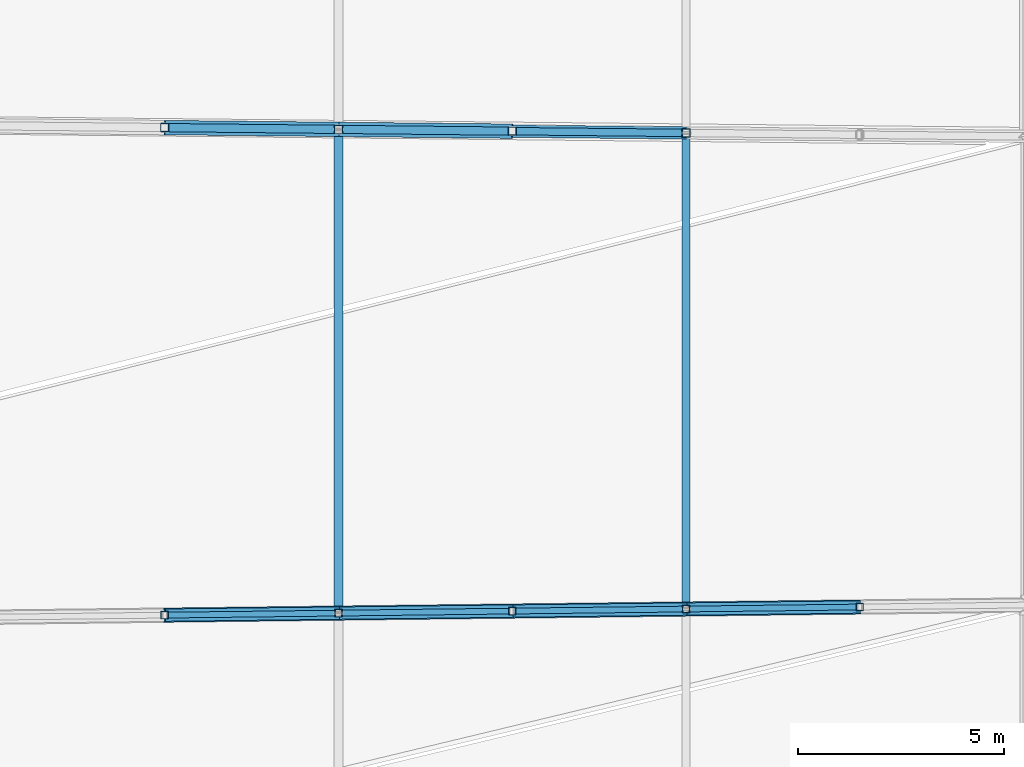
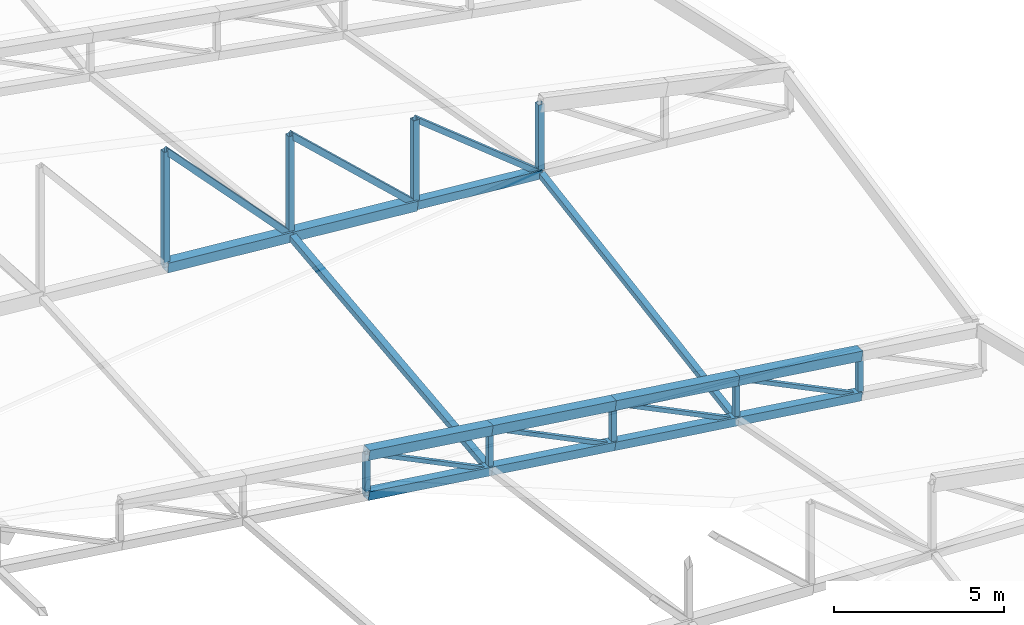
# One storey, part 63 of 344: 29 members.
"""IFC4 building model written with IfcOpenShell, lengths in metres."""

from ifc_helpers import new_model, si_unit, direction, frame, origin, origin_2d, place, context, subcontext, project, spatial, hollow_rectangle, extrude, material, material_profile, profile_set, type_object, element, save


model = new_model("IFC4")

# Units and contexts
model_context = context("Model", 3, precision=1e-05, world=origin(), true_north=direction((0.0, 1.0)))
body_context = subcontext(model_context, "Body", "Model", "MODEL_VIEW")
ifc_project = project(units=[si_unit("LENGTHUNIT", "METRE"), si_unit("AREAUNIT", "SQUARE_METRE"), si_unit("VOLUMEUNIT", "CUBIC_METRE"), si_unit("PLANEANGLEUNIT", "RADIAN"), si_unit("MASSUNIT", "GRAM", prefix="KILO")], contexts=[model_context])

# Site, building, storey
site_placement = place(None, origin())
site = spatial("IfcSite", under=ifc_project, at=site_placement, CompositionType="ELEMENT")
building_placement = place(site_placement, origin())
building = spatial("IfcBuilding", under=site, at=building_placement, Name="Meseta Stadium", CompositionType="ELEMENT")
storey_placement = place(building_placement, frame((0.0, 0.0, 24.0)))
storey = spatial("IfcBuildingStorey", under=building, at=storey_placement, Name="L04", CompositionType="ELEMENT", Elevation=24.0)

# Members
ifc_material_1 = material(Name="Steel S355", Category="steel")
ifc_material_profile_1 = material_profile(ifc_material_1, hollow_rectangle(XDim=0.139892578125, YDim=0.139892578125, WallThickness=0.0048828125, at=origin_2d()), Name="SHS 140x140x5")
ifc_profile_set_1 = profile_set([ifc_material_profile_1], Name="Steel S355")
member_type_1 = type_object("IfcMemberType", Name="SHS 140x140x5 diagonal", PredefinedType="BRACE", material=ifc_profile_set_1)
for number, where, z_axis, x_axis, name in (
    (1, (-51.2216796875, -5.740478515625, 1.897216796875), (-0.896122355516, -0.010519449382, 0.443682392178), (0.011738045144, -0.999931106775, 0.0), "ROOF TRUSS RT-33 diagonal"),
    (2, (-55.443603515625, -5.7900390625, 2.510009765625), (-0.896122355516, -0.010519449382, 0.443682392178), (0.011738045144, -0.999931106775, 0.0), "ROOF TRUSS RT-33 diagonal"),
    (3, (-59.66552734375, -5.839599609375, 3.122802734375), (-0.896122355516, -0.010519449382, 0.443682392178), (0.011738045144, -0.999931106775, 0.0), "ROOF TRUSS RT-33 diagonal"),
):
    element("IfcMember", number, at=place(storey_placement, frame(where, z_axis=z_axis, x_axis=x_axis)), inside=storey, type_object=member_type_1, Name=name, PredefinedType="BRACE", context=body_context, shape_type="SweptSolid", body=[
        extrude(hollow_rectangle(XDim=0.139892578125, YDim=0.139892578125, WallThickness=0.0048828125, at=origin_2d()), origin(), (0.0, 0.0, 1.0), 4.71142578125),
    ])
member_1_placement = place(storey_placement, frame((-63.887451171875, -5.88916015625, 3.73583984375), z_axis=(-0.896142958309, -0.010519691236, 0.443640771762), x_axis=(0.011738045144, -0.999931106775, 0.0)))
element("IfcMember", 4, at=member_1_placement, inside=storey, type_object=member_type_1, Name="ROOF TRUSS RT-33 diagonal", PredefinedType="BRACE", context=body_context, shape_type="SweptSolid", body=[
    extrude(hollow_rectangle(XDim=0.139892578125, YDim=0.139892578125, WallThickness=0.0048828125, at=origin_2d()), origin(), (0.0, 0.0, 1.0), 4.711181640625),
])
ifc_material_2 = material(Name="Steel S355", Category="steel")
ifc_material_profile_2 = material_profile(ifc_material_2, hollow_rectangle(XDim=0.179931640625, YDim=0.179931640625, WallThickness=0.00634765625, at=origin_2d()), Name="SHS 180x180x6.3")
ifc_profile_set_2 = profile_set([ifc_material_profile_2], Name="Steel S355")
member_type_2 = type_object("IfcMemberType", Name="SHS 180x180x6.3 diagonal", PredefinedType="BRACE", material=ifc_profile_set_2)
member_2_placement = place(storey_placement, frame((-55.443603515625, 5.777587890625, 4.377197265625), z_axis=(-0.780566096521, 0.00803450906, 0.625021612128), x_axis=(-0.010292636977, -0.999947029409, 0.0)))
element("IfcMember", 5, at=member_2_placement, inside=storey, type_object=member_type_2, Name="ROOF TRUSS RT-32 diagonal", PredefinedType="BRACE", context=body_context, shape_type="SweptSolid", body=[
    extrude(hollow_rectangle(XDim=0.179931640625, YDim=0.179931640625, WallThickness=0.00634765625, at=origin_2d()), origin(), (0.0, 0.0, 1.0), 5.40869140625),
])
ifc_material_3 = material(Name="Steel S355", Category="steel")
ifc_material_profile_3 = material_profile(ifc_material_3, hollow_rectangle(XDim=0.179931640625, YDim=0.179931640625, WallThickness=0.00634765625, at=origin_2d()), Name="SHS 180x180x6.3")
ifc_profile_set_3 = profile_set([ifc_material_profile_3], Name="Steel S355")
member_type_3 = type_object("IfcMemberType", Name="SHS 180x180x6.3 post", PredefinedType="POST", material=ifc_profile_set_3)
member_3_placement = place(storey_placement, frame((-51.2216796875, -5.740478515625, 1.897216796875), z_axis=(0.0, 0.0, 1.0), x_axis=(1.0, 0.0, 0.0)))
element("IfcMember", 6, at=member_3_placement, inside=storey, type_object=member_type_3, Name="ROOF TRUSS RT-33 post", PredefinedType="POST", context=body_context, shape_type="SweptSolid", body=[
    extrude(hollow_rectangle(XDim=0.179931640625, YDim=0.179931640625, WallThickness=0.00634765625, at=origin_2d()), origin(), (0.0, 0.0, 1.0), 1.477294921875),
])
for number, where, z_axis, x_axis, name in (
    (7, (-55.443603515625, -5.7900390625, 2.510009765625), (0.0, 0.0, 1.0), (1.0, 0.0, 0.0), "ROOF TRUSS RT-33 post"),
    (8, (-59.66552734375, -5.839599609375, 3.122802734375), (0.0, 0.0, 1.0), (1.0, 0.0, 0.0), "ROOF TRUSS RT-33 post"),
):
    element("IfcMember", number, at=place(storey_placement, frame(where, z_axis=z_axis, x_axis=x_axis)), inside=storey, type_object=member_type_3, Name=name, PredefinedType="POST", context=body_context, shape_type="SweptSolid", body=[
        extrude(hollow_rectangle(XDim=0.179931640625, YDim=0.179931640625, WallThickness=0.00634765625, at=origin_2d()), origin(), (0.0, 0.0, 1.0), 1.4775390625),
    ])
for number, where, z_axis, x_axis, name in (
    (9, (-63.887451171875, -5.88916015625, 3.73583984375), (0.0, 0.0, 1.0), (1.0, 0.0, 0.0), "ROOF TRUSS RT-33 post"),
    (10, (-68.109375, -5.938720703125, 4.3486328125), (0.0, 0.0, 1.0), (1.0, 0.0, 0.0), "ROOF TRUSS RT-33 post"),
):
    element("IfcMember", number, at=place(storey_placement, frame(where, z_axis=z_axis, x_axis=x_axis)), inside=storey, type_object=member_type_3, Name=name, PredefinedType="POST", context=body_context, shape_type="SweptSolid", body=[
        extrude(hollow_rectangle(XDim=0.179931640625, YDim=0.179931640625, WallThickness=0.00634765625, at=origin_2d()), origin(), (0.0, 0.0, 1.0), 1.477294921875),
    ])
ifc_material_4 = material(Name="Steel S355", Category="steel")
ifc_material_profile_4 = material_profile(ifc_material_4, hollow_rectangle(XDim=0.199951171875, YDim=0.199951171875, WallThickness=0.008056640625, at=origin_2d()), Name="SHS 200x200x8")
ifc_profile_set_4 = profile_set([ifc_material_profile_4], Name="Steel S355")
member_type_4 = type_object("IfcMemberType", Name="SHS 200x200x8 diagonal", PredefinedType="BRACE", material=ifc_profile_set_4)
member_4_placement = place(storey_placement, frame((-59.66552734375, 5.821044921875, 4.71337890625), z_axis=(-0.732048613377, 0.007534674059, 0.681210728292), x_axis=(-0.010292041883, -0.999947035534, 0.0)))
element("IfcMember", 11, at=member_4_placement, inside=storey, type_object=member_type_4, Name="ROOF TRUSS RT-32 diagonal", PredefinedType="BRACE", context=body_context, shape_type="SweptSolid", body=[
    extrude(hollow_rectangle(XDim=0.199951171875, YDim=0.199951171875, WallThickness=0.008056640625, at=origin_2d()), origin(), (0.0, 0.0, 1.0), 5.767578125),
])
member_5_placement = place(storey_placement, frame((-63.8876953125, 5.864501953125, 5.0498046875), z_axis=(-0.686056558819, 0.007022032667, 0.727514322305), x_axis=(-0.010234819248, -0.999947622866, 0.0)))
element("IfcMember", 12, at=member_5_placement, inside=storey, type_object=member_type_4, Name="ROOF TRUSS RT-32 diagonal", PredefinedType="BRACE", context=body_context, shape_type="SweptSolid", body=[
    extrude(hollow_rectangle(XDim=0.199951171875, YDim=0.199951171875, WallThickness=0.008056640625, at=origin_2d()), origin(), (0.0, 0.0, 1.0), 6.15380859375),
])
ifc_material_5 = material(Name="Steel S355", Category="steel")
ifc_material_profile_5 = material_profile(ifc_material_5, hollow_rectangle(XDim=0.199951171875, YDim=0.199951171875, WallThickness=0.008056640625, at=origin_2d()), Name="SHS 200x200x8")
ifc_profile_set_5 = profile_set([ifc_material_profile_5], Name="Steel S355")
member_type_5 = type_object("IfcMemberType", Name="SHS 200x200x8 post", PredefinedType="POST", material=ifc_profile_set_5)
member_6_placement = place(storey_placement, frame((-55.443603515625, 5.777587890625, 4.377197265625), z_axis=(0.0, 0.0, 1.0), x_axis=(1.0, 0.0, 0.0)))
element("IfcMember", 13, at=member_6_placement, inside=storey, type_object=member_type_5, Name="ROOF TRUSS RT-32 post", PredefinedType="POST", context=body_context, shape_type="SweptSolid", body=[
    extrude(hollow_rectangle(XDim=0.199951171875, YDim=0.199951171875, WallThickness=0.008056640625, at=origin_2d()), origin(), (0.0, 0.0, 1.0), 2.49609375),
])
member_7_placement = place(storey_placement, frame((-59.66552734375, 5.821044921875, 4.71337890625), z_axis=(0.0, 0.0, 1.0), x_axis=(1.0, 0.0, 0.0)))
element("IfcMember", 14, at=member_7_placement, inside=storey, type_object=member_type_5, Name="ROOF TRUSS RT-32 post", PredefinedType="POST", context=body_context, shape_type="SweptSolid", body=[
    extrude(hollow_rectangle(XDim=0.199951171875, YDim=0.199951171875, WallThickness=0.008056640625, at=origin_2d()), origin(), (0.0, 0.0, 1.0), 3.04443359375),
])
member_8_placement = place(storey_placement, frame((-63.8876953125, 5.864501953125, 5.0498046875), z_axis=(0.0, 0.0, 1.0), x_axis=(1.0, 0.0, 0.0)))
element("IfcMember", 15, at=member_8_placement, inside=storey, type_object=member_type_5, Name="ROOF TRUSS RT-32 post", PredefinedType="POST", context=body_context, shape_type="SweptSolid", body=[
    extrude(hollow_rectangle(XDim=0.199951171875, YDim=0.199951171875, WallThickness=0.008056640625, at=origin_2d()), origin(), (0.0, 0.0, 1.0), 3.592529296875),
])
member_9_placement = place(storey_placement, frame((-68.109619140625, 5.90771484375, 5.38623046875), z_axis=(0.0, 0.0, 1.0), x_axis=(1.0, 0.0, 0.0)))
element("IfcMember", 16, at=member_9_placement, inside=storey, type_object=member_type_5, Name="ROOF TRUSS RT-32 post", PredefinedType="POST", context=body_context, shape_type="SweptSolid", body=[
    extrude(hollow_rectangle(XDim=0.199951171875, YDim=0.199951171875, WallThickness=0.008056640625, at=origin_2d()), origin(), (0.0, 0.0, 1.0), 4.140625),
])
ifc_material_6 = material(Name="Steel S355", Category="steel")
ifc_material_profile_6 = material_profile(ifc_material_6, hollow_rectangle(XDim=0.199951171875, YDim=0.199951171875, WallThickness=0.008056640625, at=origin_2d()), Name="SHS 200x200x8")
ifc_profile_set_6 = profile_set([ifc_material_profile_6], Name="Steel S355")
member_type_6 = type_object("IfcMemberType", Name="SHS 200x200x8 strut", PredefinedType="STRUT", material=ifc_profile_set_6)
member_10_placement = place(storey_placement, frame((-55.443603515625, 5.777587890625, 4.377197265625), z_axis=(0.0, -0.987221777966, -0.159352317551), x_axis=(1.0, 0.0, 0.0)))
element("IfcMember", 17, at=member_10_placement, inside=storey, type_object=member_type_6, Name="ROOF TRUSS STRUT RT-32/33", PredefinedType="STRUT", context=body_context, shape_type="SweptSolid", body=[
    extrude(hollow_rectangle(XDim=0.199951171875, YDim=0.199951171875, WallThickness=0.008056640625, at=origin_2d()), origin(), (0.0, 0.0, 1.0), 11.71728515625),
])
ifc_material_7 = material(Name="Steel S355", Category="steel")
ifc_material_profile_7 = material_profile(ifc_material_7, hollow_rectangle(XDim=0.219970703125, YDim=0.219970703125, WallThickness=0.008056640625, at=origin_2d()), Name="SHS 220x220x8")
ifc_profile_set_7 = profile_set([ifc_material_profile_7], Name="Steel S355")
member_type_7 = type_object("IfcMemberType", Name="SHS 220x220x8 strut", PredefinedType="STRUT", material=ifc_profile_set_7)
member_11_placement = place(storey_placement, frame((-63.8876953125, 5.864501953125, 5.0498046875), z_axis=(2.0642861e-05, -0.993809245774, -0.111099876633), x_axis=(0.999999999784, 2.0771452e-05, 0.0)))
element("IfcMember", 18, at=member_11_placement, inside=storey, type_object=member_type_7, Name="ROOF TRUSS STRUT RT-32/33", PredefinedType="STRUT", context=body_context, shape_type="SweptSolid", body=[
    extrude(hollow_rectangle(XDim=0.219970703125, YDim=0.219970703125, WallThickness=0.008056640625, at=origin_2d()), origin(), (0.0, 0.0, 1.0), 11.826904296875),
])
ifc_material_8 = material(Name="Steel S355", Category="steel")
ifc_material_profile_8 = material_profile(ifc_material_8, hollow_rectangle(XDim=0.300048828125, YDim=0.300048828125, WallThickness=0.010009765625, at=origin_2d()), Name="SHS 300x300x10")
ifc_profile_set_8 = profile_set([ifc_material_profile_8], Name="Steel S355")
member_type_8 = type_object("IfcMemberType", Name="SHS 300x300x10 bottom chord", PredefinedType="CHORD", material=ifc_profile_set_8)
member_12_placement = place(storey_placement, frame((-55.443603515625, 5.777587890625, 4.377197265625), z_axis=(-0.996792249037, 0.010260164247, 0.079372169486), x_axis=(-0.010292636977, -0.999947029409, 0.0)))
element("IfcMember", 19, at=member_12_placement, inside=storey, type_object=member_type_8, Name="ROOF TRUSS RT-32 bottom chord", PredefinedType="CHORD", context=body_context, shape_type="SweptSolid", body=[
    extrude(hollow_rectangle(XDim=0.300048828125, YDim=0.300048828125, WallThickness=0.010009765625, at=origin_2d()), origin(), (0.0, 0.0, 1.0), 4.235595703125),
])
for number, where, z_axis, x_axis, name in (
    (20, (-51.2216796875, -5.740478515625, 1.897216796875), (-0.989563195146, -0.011616337744, 0.143630579993), (0.011738045144, -0.999931106775, 0.0), "ROOF TRUSS RT-33 bottom chord"),
    (21, (-55.443603515625, -5.7900390625, 2.510009765625), (-0.989563195146, -0.011616337744, 0.143630579993), (0.011738045144, -0.999931106775, 0.0), "ROOF TRUSS RT-33 bottom chord"),
):
    element("IfcMember", number, at=place(storey_placement, frame(where, z_axis=z_axis, x_axis=x_axis)), inside=storey, type_object=member_type_8, Name=name, PredefinedType="CHORD", context=body_context, shape_type="SweptSolid", body=[
        extrude(hollow_rectangle(XDim=0.300048828125, YDim=0.300048828125, WallThickness=0.010009765625, at=origin_2d()), origin(), (0.0, 0.0, 1.0), 4.266357421875),
    ])
member_13_placement = place(storey_placement, frame((-59.66552734375, -5.839599609375, 3.122802734375), z_axis=(-0.989555060386, -0.011616242252, 0.143686622138), x_axis=(0.011738045144, -0.999931106775, 0.0)))
element("IfcMember", 22, at=member_13_placement, inside=storey, type_object=member_type_8, Name="ROOF TRUSS RT-33 bottom chord", PredefinedType="CHORD", context=body_context, shape_type="SweptSolid", body=[
    extrude(hollow_rectangle(XDim=0.300048828125, YDim=0.300048828125, WallThickness=0.010009765625, at=origin_2d()), origin(), (0.0, 0.0, 1.0), 4.2666015625),
])
member_14_placement = place(storey_placement, frame((-63.887451171875, -5.88916015625, 3.73583984375), z_axis=(-0.989563195146, -0.011616337744, 0.143630579993), x_axis=(0.011738045144, -0.999931106775, 0.0)))
element("IfcMember", 23, at=member_14_placement, inside=storey, type_object=member_type_8, Name="ROOF TRUSS RT-33 bottom chord", PredefinedType="CHORD", context=body_context, shape_type="SweptSolid", body=[
    extrude(hollow_rectangle(XDim=0.300048828125, YDim=0.300048828125, WallThickness=0.010009765625, at=origin_2d()), origin(), (0.0, 0.0, 1.0), 4.266357421875),
])
ifc_material_9 = material(Name="Steel S355", Category="steel")
ifc_material_profile_9 = material_profile(ifc_material_9, hollow_rectangle(XDim=0.35009765625, YDim=0.35009765625, WallThickness=0.010009765625, at=origin_2d()), Name="SHS 350x350x10")
ifc_profile_set_9 = profile_set([ifc_material_profile_9], Name="Steel S355")
member_type_9 = type_object("IfcMemberType", Name="SHS 350x350x10 top chord", PredefinedType="CHORD", material=ifc_profile_set_9)
member_15_placement = place(storey_placement, frame((-51.2216796875, -5.740478515625, 3.37451171875), z_axis=(-0.989555060386, -0.011616242252, 0.143686622138), x_axis=(0.011738045144, -0.999931106775, 0.0)))
element("IfcMember", 24, at=member_15_placement, inside=storey, type_object=member_type_9, Name="ROOF TRUSS RT-33 top chord", PredefinedType="CHORD", context=body_context, shape_type="SweptSolid", body=[
    extrude(hollow_rectangle(XDim=0.35009765625, YDim=0.35009765625, WallThickness=0.010009765625, at=origin_2d()), origin(), (0.0, 0.0, 1.0), 4.2666015625),
])
for number, where, z_axis, x_axis, name in (
    (25, (-55.443603515625, -5.7900390625, 3.987548828125), (-0.989563195146, -0.011616337744, 0.143630579993), (0.011738045144, -0.999931106775, 0.0), "ROOF TRUSS RT-33 top chord"),
    (26, (-59.66552734375, -5.839599609375, 4.600341796875), (-0.989563195146, -0.011616337744, 0.143630579993), (0.011738045144, -0.999931106775, 0.0), "ROOF TRUSS RT-33 top chord"),
    (27, (-63.887451171875, -5.88916015625, 5.213134765625), (-0.989563195146, -0.011616337744, 0.143630579993), (0.011738045144, -0.999931106775, 0.0), "ROOF TRUSS RT-33 top chord"),
):
    element("IfcMember", number, at=place(storey_placement, frame(where, z_axis=z_axis, x_axis=x_axis)), inside=storey, type_object=member_type_9, Name=name, PredefinedType="CHORD", context=body_context, shape_type="SweptSolid", body=[
        extrude(hollow_rectangle(XDim=0.35009765625, YDim=0.35009765625, WallThickness=0.010009765625, at=origin_2d()), origin(), (0.0, 0.0, 1.0), 4.266357421875),
    ])
ifc_material_10 = material(Name="Steel S355", Category="steel")
ifc_material_profile_10 = material_profile(ifc_material_10, hollow_rectangle(XDim=0.35009765625, YDim=0.35009765625, WallThickness=0.01416015625, at=origin_2d()), Name="SHS 350x350x14.2")
ifc_profile_set_10 = profile_set([ifc_material_profile_10], Name="Steel S355")
member_type_10 = type_object("IfcMemberType", Name="SHS 350x350x14.2 bottom chord", PredefinedType="CHORD", material=ifc_profile_set_10)
member_16_placement = place(storey_placement, frame((-59.66552734375, 5.821044921875, 4.71337890625), z_axis=(-0.996788056664, 0.010259527818, 0.079424883895), x_axis=(-0.010292041883, -0.999947035534, 0.0)))
element("IfcMember", 28, at=member_16_placement, inside=storey, type_object=member_type_10, Name="ROOF TRUSS RT-32 bottom chord", PredefinedType="CHORD", context=body_context, shape_type="SweptSolid", body=[
    extrude(hollow_rectangle(XDim=0.35009765625, YDim=0.35009765625, WallThickness=0.01416015625, at=origin_2d()), origin(), (0.0, 0.0, 1.0), 4.23583984375),
])
member_17_placement = place(storey_placement, frame((-63.8876953125, 5.864501953125, 5.0498046875), z_axis=(-0.996788274817, 0.010202482198, 0.079429494171), x_axis=(-0.010234819248, -0.999947622866, 0.0)))
element("IfcMember", 29, at=member_17_placement, inside=storey, type_object=member_type_10, Name="ROOF TRUSS RT-32 bottom chord", PredefinedType="CHORD", context=body_context, shape_type="SweptSolid", body=[
    extrude(hollow_rectangle(XDim=0.35009765625, YDim=0.35009765625, WallThickness=0.01416015625, at=origin_2d()), origin(), (0.0, 0.0, 1.0), 4.235595703125),
])

save(model, "model.ifc")
